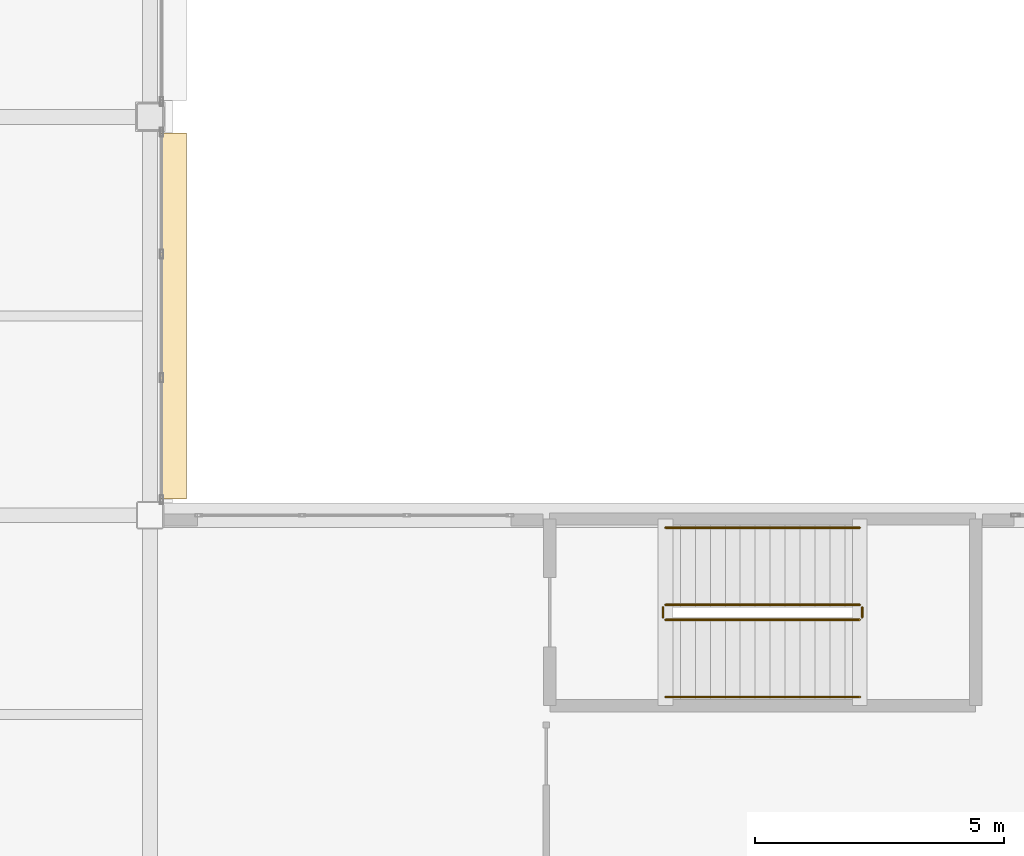
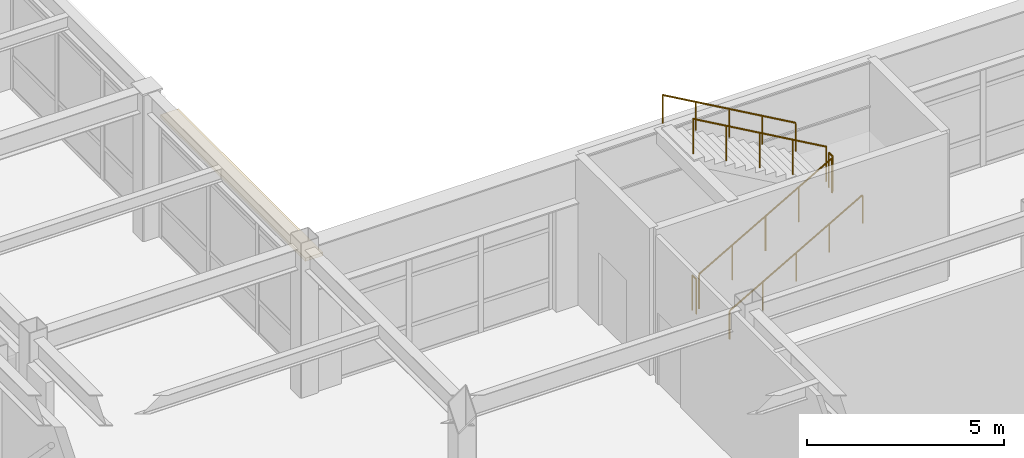
# One storey, part 144 of 154: 6 railings, 1 covering.
"""IFC4 building model written with IfcOpenShell, lengths in metres."""

from ifc_helpers import new_model, si_unit, direction, frame, origin, origin_2d, place, context, subcontext, project, spatial, rectangle, circle, extrude, material, layer, layer_set, type_object, element, save


model = new_model("IFC4")

# Units and contexts
model_context = context("Model", 3, precision=1e-05, world=origin(), true_north=direction((0.0, 1.0)))
body_context = subcontext(model_context, "Body", "Model", "MODEL_VIEW")
ifc_project = project(units=[si_unit("LENGTHUNIT", "METRE"), si_unit("AREAUNIT", "SQUARE_METRE"), si_unit("VOLUMEUNIT", "CUBIC_METRE"), si_unit("PLANEANGLEUNIT", "RADIAN"), si_unit("MASSUNIT", "GRAM", prefix="KILO")], contexts=[model_context])

# Site, building, storey
site_placement = place(None, origin())
site = spatial("IfcSite", under=ifc_project, at=site_placement, CompositionType="ELEMENT")
building_placement = place(site_placement, origin())
building = spatial("IfcBuilding", under=site, at=building_placement, Name="Kazehara Bluff Congress Hotel", CompositionType="ELEMENT")
storey_placement = place(building_placement, frame((0.0, 0.0, 10.199951171875)))
storey = spatial("IfcBuildingStorey", under=building, at=storey_placement, Name="L02", CompositionType="ELEMENT", Elevation=10.199951171875)

# Covering
ifc_material_1 = material(Name="Anodised aluminium architectural brise-soleil", Category="aluminium")
ifc_layer = layer(ifc_material_1, 0.10009765625)
ifc_layer_set = layer_set([ifc_layer], Name="Anodised aluminium architectural brise-soleil")
covering_type = type_object("IfcCoveringType", Name="TP-FAC-FIN", PredefinedType="CLADDING", material=ifc_layer_set)
covering_placement = place(storey_placement, frame((68.1201171875, 60.449951171875, 3.715087890625), z_axis=(0.0, 0.0, 1.0), x_axis=(1.0, 0.0, 0.0)))
element("IfcCovering", 1, at=covering_placement, inside=storey, type_object=covering_type, Name="L02 V4 architectural sun-hood 93", PredefinedType="CLADDING", context=body_context, shape_type="SweptSolid", body=[
    extrude(rectangle(XDim=0.52001953125, YDim=7.35009765625, at=origin_2d()), origin(), (0.0, 0.0, 1.0), 0.10009765625),
])

# Railings
ifc_material_2 = material(Name="Brushed stainless steel", Category="steel")
railing_type_1 = type_object("IfcRailingType", Name="TP-GRD-INT", PredefinedType="GUARDRAIL", material=ifc_material_2)
railing_1_placement = place(storey_placement, frame((78.0, 54.35009765625, 0.17138671875)))
element("IfcRailing", 2, at=railing_1_placement, inside=storey, type_object=railing_type_1, Name="L02 ST-09 stair guard 1", PredefinedType="GUARDRAIL", context=body_context, shape_type="SweptSolid", body=[
    extrude(circle(Radius=0.02392578125, at=origin_2d()), frame((0.0, 0.0, 1.076171875), z_axis=(0.868219727965, 0.0, 0.496179910892), x_axis=(0.0, 1.0, 0.0)), (0.0, 0.0, 1.0), 4.491943359375),
    extrude(circle(Radius=0.02099609375, at=origin_2d()), origin(), (0.0, 0.0, 1.0), 1.052001953125),
    extrude(circle(Radius=0.02099609375, at=origin_2d()), frame((0.97509765625, 0.0, 0.55712890625)), (0.0, 0.0, 1.0), 1.052001953125),
    extrude(circle(Radius=0.02099609375, at=origin_2d()), frame((1.949951171875, 0.0, 1.1142578125)), (0.0, 0.0, 1.0), 1.052001953125),
    extrude(circle(Radius=0.02099609375, at=origin_2d()), frame((2.9248046875, 0.0, 1.671630859375)), (0.0, 0.0, 1.0), 1.052001953125),
    extrude(circle(Radius=0.02099609375, at=origin_2d()), frame((3.89990234375, 0.0, 2.228759765625)), (0.0, 0.0, 1.0), 1.052001953125),
])
railing_2_placement = place(storey_placement, frame((81.949951171875, 54.39990234375, 2.400146484375)))
element("IfcRailing", 3, at=railing_2_placement, inside=storey, type_object=railing_type_1, Name="L02 ST-09 stair guard 2", PredefinedType="GUARDRAIL", context=body_context, shape_type="SweptSolid", body=[
    extrude(circle(Radius=0.02392578125, at=origin_2d()), frame((0.0, 0.0, 1.076171875), z_axis=(0.0, 1.0, 0.0), x_axis=(-1.0, 0.0, 0.0)), (0.0, 0.0, 1.0), 0.2001953125),
    extrude(circle(Radius=0.02099609375, at=origin_2d()), origin(), (0.0, 0.0, 1.0), 1.052001953125),
    extrude(circle(Radius=0.02099609375, at=origin_2d()), frame((0.0, 0.2001953125, 0.0)), (0.0, 0.0, 1.0), 1.052001953125),
])
railing_3_placement = place(storey_placement, frame((81.89990234375, 54.64990234375, 2.571533203125)))
element("IfcRailing", 4, at=railing_3_placement, inside=storey, type_object=railing_type_1, Name="L02 ST-09 stair guard 3", PredefinedType="GUARDRAIL", context=body_context, shape_type="SweptSolid", body=[
    extrude(circle(Radius=0.02392578125, at=origin_2d()), frame((0.0, 0.0, 1.076171875), z_axis=(-0.868243142124, 0.0, 0.496138938357), x_axis=(0.0, -1.0, 0.0)), (0.0, 0.0, 1.0), 4.49169921875),
    extrude(circle(Radius=0.02099609375, at=origin_2d()), origin(), (0.0, 0.0, 1.0), 1.052001953125),
    extrude(circle(Radius=0.02099609375, at=origin_2d()), frame((-0.97509765625, 0.0, 0.55712890625)), (0.0, 0.0, 1.0), 1.052001953125),
    extrude(circle(Radius=0.02099609375, at=origin_2d()), frame((-1.949951171875, 0.0, 1.1142578125)), (0.0, 0.0, 1.0), 1.052001953125),
    extrude(circle(Radius=0.02099609375, at=origin_2d()), frame((-2.9248046875, 0.0, 1.67138671875)), (0.0, 0.0, 1.0), 1.052001953125),
    extrude(circle(Radius=0.02099609375, at=origin_2d()), frame((-3.89990234375, 0.0, 2.228515625)), (0.0, 0.0, 1.0), 1.052001953125),
])
railing_4_placement = place(storey_placement, frame((77.949951171875, 54.39990234375, 0.0)))
element("IfcRailing", 5, at=railing_4_placement, inside=storey, type_object=railing_type_1, Name="L02 ST-09 stair guard 4", PredefinedType="GUARDRAIL", context=body_context, shape_type="SweptSolid", body=[
    extrude(circle(Radius=0.02392578125, at=origin_2d()), frame((0.0, 0.0, 1.076171875), z_axis=(0.0, 1.0, 0.0), x_axis=(-1.0, 0.0, 0.0)), (0.0, 0.0, 1.0), 0.2001953125),
    extrude(circle(Radius=0.02099609375, at=origin_2d()), origin(), (0.0, 0.0, 1.0), 1.052001953125),
    extrude(circle(Radius=0.02099609375, at=origin_2d()), frame((0.0, 0.2001953125, 0.0)), (0.0, 0.0, 1.0), 1.052001953125),
])
ifc_material_3 = material(Name="Brushed stainless steel", Category="steel")
railing_type_2 = type_object("IfcRailingType", Name="TP-HR-INT", PredefinedType="HANDRAIL", material=ifc_material_3)
railing_5_placement = place(storey_placement, frame((78.0, 52.800048828125, 0.17138671875)))
element("IfcRailing", 6, at=railing_5_placement, inside=storey, type_object=railing_type_2, Name="L02 ST-09 stair handrail 1", PredefinedType="HANDRAIL", context=body_context, shape_type="SweptSolid", body=[
    extrude(circle(Radius=0.02392578125, at=origin_2d()), frame((0.0, 0.0, 0.8759765625), z_axis=(0.868219727965, 0.0, 0.496179910892), x_axis=(0.0, 1.0, 0.0)), (0.0, 0.0, 1.0), 4.491943359375),
    extrude(circle(Radius=0.02099609375, at=origin_2d()), origin(), (0.0, 0.0, 1.0), 0.851806640625),
    extrude(circle(Radius=0.02099609375, at=origin_2d()), frame((0.97509765625, 0.0, 0.55712890625)), (0.0, 0.0, 1.0), 0.851806640625),
    extrude(circle(Radius=0.02099609375, at=origin_2d()), frame((1.949951171875, 0.0, 1.1142578125)), (0.0, 0.0, 1.0), 0.851806640625),
    extrude(circle(Radius=0.02099609375, at=origin_2d()), frame((2.9248046875, 0.0, 1.671630859375)), (0.0, 0.0, 1.0), 0.851806640625),
    extrude(circle(Radius=0.02099609375, at=origin_2d()), frame((3.89990234375, 0.0, 2.228759765625)), (0.0, 0.0, 1.0), 0.851806640625),
])
railing_6_placement = place(storey_placement, frame((81.89990234375, 56.199951171875, 2.571533203125)))
element("IfcRailing", 7, at=railing_6_placement, inside=storey, type_object=railing_type_2, Name="L02 ST-09 stair handrail 2", PredefinedType="HANDRAIL", context=body_context, shape_type="SweptSolid", body=[
    extrude(circle(Radius=0.02392578125, at=origin_2d()), frame((0.0, 0.0, 0.8759765625), z_axis=(-0.868243142124, 0.0, 0.496138938357), x_axis=(0.0, -1.0, 0.0)), (0.0, 0.0, 1.0), 4.49169921875),
    extrude(circle(Radius=0.02099609375, at=origin_2d()), origin(), (0.0, 0.0, 1.0), 0.851806640625),
    extrude(circle(Radius=0.02099609375, at=origin_2d()), frame((-0.97509765625, 0.0, 0.55712890625)), (0.0, 0.0, 1.0), 0.851806640625),
    extrude(circle(Radius=0.02099609375, at=origin_2d()), frame((-1.949951171875, 0.0, 1.1142578125)), (0.0, 0.0, 1.0), 0.851806640625),
    extrude(circle(Radius=0.02099609375, at=origin_2d()), frame((-2.9248046875, 0.0, 1.67138671875)), (0.0, 0.0, 1.0), 0.851806640625),
    extrude(circle(Radius=0.02099609375, at=origin_2d()), frame((-3.89990234375, 0.0, 2.228515625)), (0.0, 0.0, 1.0), 0.851806640625),
])

save(model, "model.ifc")
